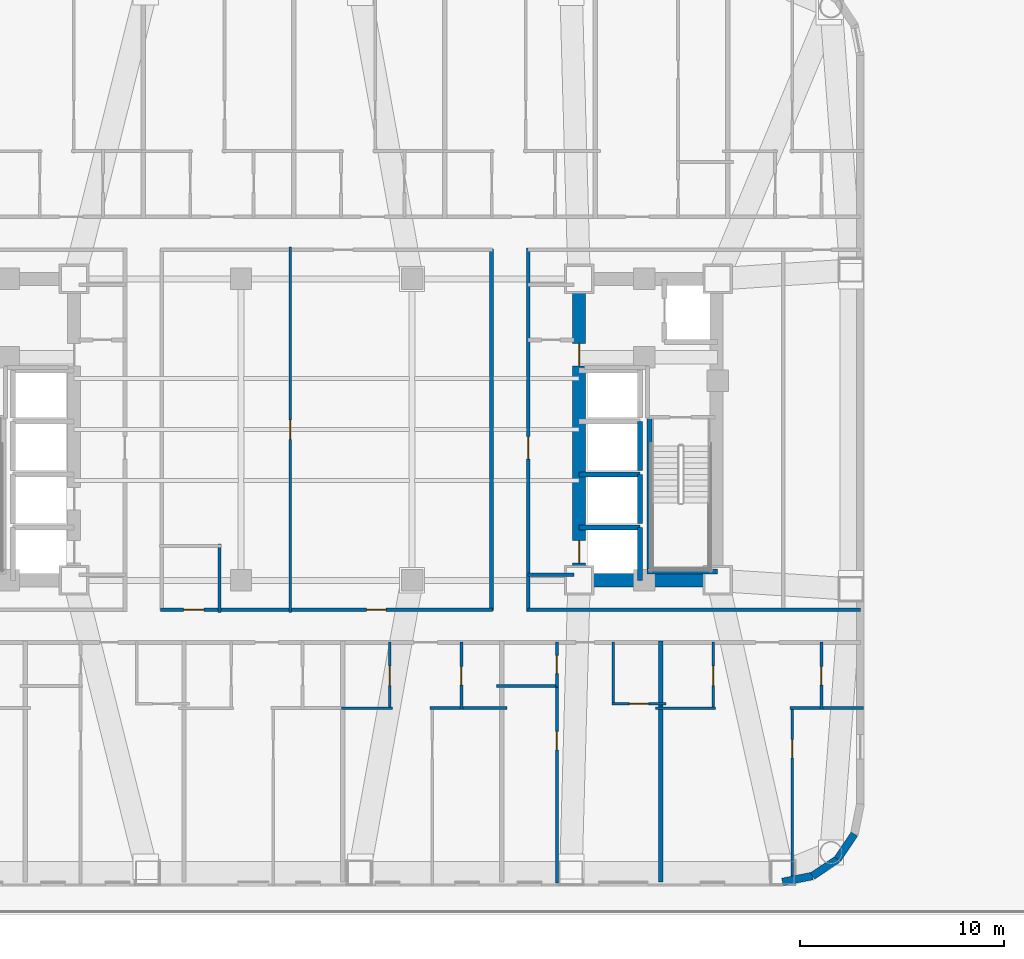
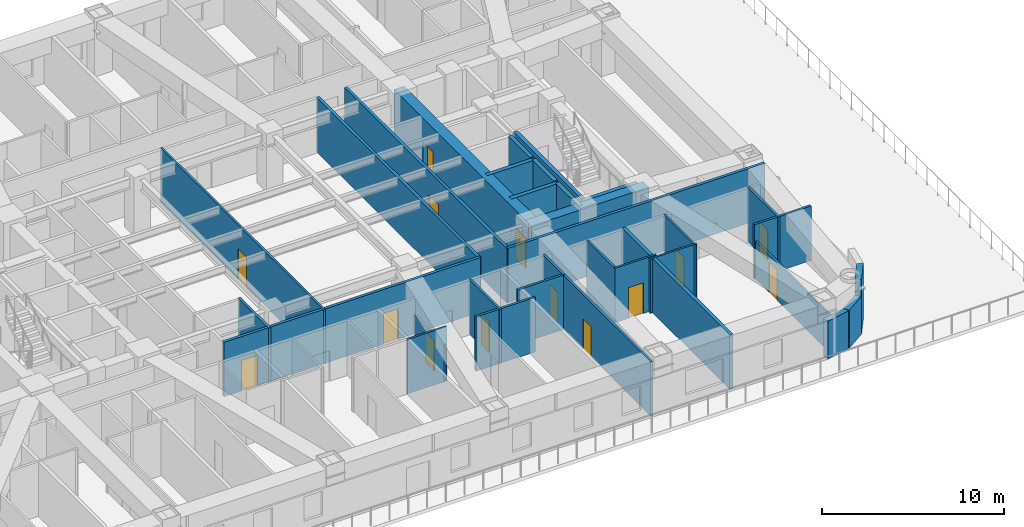
# One storey, part 6 of 15: 34 walls, 14 doors, 14 openings.
"""IFC4 building model written with IfcOpenShell, lengths in metres."""

from ifc_helpers import new_model, si_unit, direction, frame, frame_2d, origin, place, context, subcontext, project, spatial, rectangle, extrude, material, layer, layer_set, type_object, element, fill, save


model = new_model("IFC4")

# Units and contexts
model_context = context("Model", 3, precision=1e-05, world=origin(), true_north=direction((0.0, 1.0)))
body_context = subcontext(model_context, "Body", "Model", "MODEL_VIEW")
ifc_project = project(units=[si_unit("LENGTHUNIT", "METRE"), si_unit("AREAUNIT", "SQUARE_METRE"), si_unit("VOLUMEUNIT", "CUBIC_METRE"), si_unit("PLANEANGLEUNIT", "RADIAN"), si_unit("MASSUNIT", "GRAM", prefix="KILO")], contexts=[model_context])

# Site, building, storey
site_placement = place(None, origin())
site = spatial("IfcSite", under=ifc_project, at=site_placement, CompositionType="ELEMENT")
building_placement = place(site_placement, origin())
building = spatial("IfcBuilding", under=site, at=building_placement, Name="Voryun Gate Residences", CompositionType="ELEMENT")
storey_placement = place(building_placement, frame((0.0, 0.0, 26.0)))
storey = spatial("IfcBuildingStorey", under=building, at=storey_placement, Name="L05", CompositionType="ELEMENT", Elevation=26.0)

# Wall
ifc_material_1 = material(Name="Concrete C60/75", Category="concrete")
ifc_layer_1 = layer(ifc_material_1, 0.64990234375, Name="CW_CORE_650")
ifc_layer_set_1 = layer_set([ifc_layer_1], Name="Concrete C60/75")
wall_type_1 = type_object("IfcWallType", Name="CW_CORE_650", PredefinedType="SHEAR", material=ifc_layer_set_1)
wall_1_placement = place(storey_placement, frame((12.074951171875, -7.39990234375, 0.0), z_axis=(0.0, 0.0, 1.0), x_axis=(1.0, 0.0, 0.0)))
element("IfcWall", 1, at=wall_1_placement, inside=storey, type_object=wall_type_1, Name="L05 Core shear wall CW-L05-ES", PredefinedType="SHEAR", context=body_context, shape_type="SweptSolid", body=[
    extrude(rectangle(XDim=7.449951171875, YDim=0.64990234375, at=frame_2d((3.72509765625, 0.0))), origin(), (0.0, 0.0, 1.0), 3.64990234375),
])

# Wall, openings, doors
wall_2_placement = place(storey_placement, frame((12.39990234375, -7.39990234375, 0.0), z_axis=(0.0, 0.0, 1.0), x_axis=(0.0, 1.0, 0.0)))
wall_2 = element("IfcWall", 2, at=wall_2_placement, inside=storey, type_object=wall_type_1, Name="L05 Core shear wall CW-L05-EW", PredefinedType="SHEAR", context=body_context, shape_type="SweptSolid", body=[
    extrude(rectangle(XDim=14.7998046875, YDim=0.64990234375, at=frame_2d((7.39990234375, 0.0))), origin(), (0.0, 0.0, 1.0), 3.64990234375),
])
opening_1_placement = place(wall_2_placement, frame((0.85009765625, 0.0, 0.0)))
opening_1 = element("IfcOpeningElement", 3, at=opening_1_placement, cuts=wall_2, Name="Opening LD2", PredefinedType="OPENING", context=body_context, shape_type="SweptSolid", body=[
    extrude(rectangle(XDim=1.10009765625, YDim=2.050048828125, at=frame_2d((0.550048828125, 1.02490234375))), frame((0.0, 0.3349609375, 0.0), z_axis=(0.0, -1.0, 0.0), x_axis=(1.0, 0.0, 0.0)), (0.0, 0.0, 1.0), 0.669921875),
])
opening_2_placement = place(wall_2_placement, frame((10.530029296875, 0.0, 0.0)))
opening_2 = element("IfcOpeningElement", 4, at=opening_2_placement, cuts=wall_2, Name="Opening D-FD60-2", PredefinedType="OPENING", context=body_context, shape_type="SweptSolid", body=[
    extrude(rectangle(XDim=1.10009765625, YDim=2.050048828125, at=frame_2d((0.550048828125, 1.02490234375))), frame((0.0, 0.3349609375, 0.0), z_axis=(0.0, -1.0, 0.0), x_axis=(1.0, 0.0, 0.0)), (0.0, 0.0, 1.0), 0.669921875),
])
ifc_material_2 = material(Name="Painted steel fire door", Category="steel")
door_type_1 = type_object("IfcDoorType", Name="DR_FD60_FFLOB_1100", OperationType="NOTDEFINED", PredefinedType="DOOR", material=ifc_material_2)
door_1_placement = place(opening_2_placement, origin())
door_1 = element("IfcDoor", 5, at=door_1_placement, inside=storey, type_object=door_type_1, Name="Door DR-L05-CLOB-E", OperationType="SINGLE_SWING_RIGHT", OverallHeight=2.050048828125, OverallWidth=1.10009765625, PredefinedType="DOOR", context=body_context, shape_type="SweptSolid", body=[
    extrude(rectangle(XDim=1.10009765625, YDim=2.050048828125, at=frame_2d((0.550048828125, 1.02490234375))), frame((0.0, 0.02490234375, 0.0), z_axis=(0.0, -1.0, 0.0), x_axis=(1.0, 0.0, 0.0)), (0.0, 0.0, 1.0), 0.050048828125),
])
fill(opening_2, door_1)
ifc_material_3 = material(Name="Anodised aluminium", Category="aluminium")
door_type_2 = type_object("IfcDoorType", Name="DR_LD_PASS_1100", OperationType="NOTDEFINED", PredefinedType="DOOR", material=ifc_material_3)
door_2_placement = place(opening_1_placement, origin())
door_2 = element("IfcDoor", 6, at=door_2_placement, inside=storey, type_object=door_type_2, Name="Lift EL-P3 sliding landing door L05", OperationType="SLIDING_TO_LEFT", OverallHeight=2.050048828125, OverallWidth=1.10009765625, PredefinedType="DOOR", context=body_context, shape_type="SweptSolid", body=[
    extrude(rectangle(XDim=1.10009765625, YDim=2.050048828125, at=frame_2d((0.550048828125, 1.02490234375))), frame((0.0, 0.02490234375, 0.0), z_axis=(0.0, -1.0, 0.0), x_axis=(1.0, 0.0, 0.0)), (0.0, 0.0, 1.0), 0.050048828125),
])
fill(opening_1, door_2)

# Wall
ifc_material_4 = material(Name="Gypsum acoustic fireboard")
ifc_layer_2 = layer(ifc_material_4, 0.179931640625, Name="W_CORR_RATED_180")
ifc_layer_set_2 = layer_set([ifc_layer_2], Name="Gypsum acoustic fireboard")
wall_type_2 = type_object("IfcWallType", Name="W_CORR_RATED_180", PredefinedType="PARTITIONING", material=ifc_layer_set_2)
wall_3_placement = place(storey_placement, frame((9.8798828125, -7.1201171875, 0.0), z_axis=(0.0, 0.0, 1.0), x_axis=(1.0, 0.0, 0.0)))
element("IfcWall", 7, at=wall_3_placement, inside=storey, type_object=wall_type_2, Name="Partition wall WP-L05-PLBS-E", PredefinedType="PARTITIONING", context=body_context, shape_type="SweptSolid", body=[
    extrude(rectangle(XDim=2.27001953125, YDim=0.179931640625, at=frame_2d((1.135009765625, 0.0))), origin(), (0.0, 0.0, 1.0), 2.93994140625),
])

# Wall, opening, door
wall_4_placement = place(storey_placement, frame((9.89990234375, -8.929931640625, 0.0), z_axis=(0.0, 0.0, 1.0), x_axis=(0.0, 1.0, 0.0)))
wall_4 = element("IfcWall", 8, at=wall_4_placement, inside=storey, type_object=wall_type_2, Name="Partition wall WP-L05-PLBE-FULL", PredefinedType="PARTITIONING", context=body_context, shape_type="SweptSolid", body=[
    extrude(rectangle(XDim=17.85986328125, YDim=0.179931640625, at=frame_2d((8.929931640625, 0.0))), origin(), (0.0, 0.0, 1.0), 3.64990234375),
])
opening_3_placement = place(wall_4_placement, frame((7.487060546875, 0.0, 0.0)))
opening_3 = element("IfcOpeningElement", 9, at=opening_3_placement, cuts=wall_4, Name="Opening D-FD60-2", PredefinedType="OPENING", context=body_context, shape_type="SweptSolid", body=[
    extrude(rectangle(XDim=1.10009765625, YDim=2.050048828125, at=frame_2d((0.550048828125, 1.02490234375))), frame((0.0, 0.099853515625, 0.0), z_axis=(0.0, -1.0, 0.0), x_axis=(1.0, 0.0, 0.0)), (0.0, 0.0, 1.0), 0.199951171875),
])
door_3_placement = place(opening_3_placement, origin())
door_3 = element("IfcDoor", 10, at=door_3_placement, inside=storey, type_object=door_type_1, Name="Door DR-L05-PLBE-COR", OperationType="SINGLE_SWING_RIGHT", OverallHeight=2.050048828125, OverallWidth=1.10009765625, PredefinedType="DOOR", context=body_context, shape_type="SweptSolid", body=[
    extrude(rectangle(XDim=1.10009765625, YDim=2.050048828125, at=frame_2d((0.550048828125, 1.02490234375))), frame((0.0, 0.02490234375, 0.0), z_axis=(0.0, -1.0, 0.0), x_axis=(1.0, 0.0, 0.0)), (0.0, 0.0, 1.0), 0.050048828125),
])
fill(opening_3, door_3)

# Wall
wall_5_placement = place(storey_placement, frame((9.8798828125, -8.840087890625, 0.0), z_axis=(0.0, 0.0, 1.0), x_axis=(1.0, 0.0, 0.0)))
element("IfcWall", 11, at=wall_5_placement, inside=storey, type_object=wall_type_2, Name="Partition wall WP-L05-CWING-ES", PredefinedType="PARTITIONING", context=body_context, shape_type="SweptSolid", body=[
    extrude(rectangle(XDim=16.330078125, YDim=0.179931640625, at=frame_2d((8.1650390625, 0.0))), origin(), (0.0, 0.0, 1.0), 3.64990234375),
])

# Wall, openings, doors
wall_6_placement = place(storey_placement, frame((-8.14990234375, -8.840087890625, 0.0), z_axis=(0.0, 0.0, 1.0), x_axis=(1.0, 0.0, 0.0)))
wall_6 = element("IfcWall", 12, at=wall_6_placement, inside=storey, type_object=wall_type_2, Name="Partition wall WP-L05-Z1S", PredefinedType="PARTITIONING", context=body_context, shape_type="SweptSolid", body=[
    extrude(rectangle(XDim=16.2998046875, YDim=0.179931640625, at=frame_2d((8.14990234375, 0.0))), origin(), (0.0, 0.0, 1.0), 3.64990234375),
])
opening_4_placement = place(wall_6_placement, frame((1.1298828125, 0.0, 0.0)))
opening_4 = element("IfcOpeningElement", 13, at=opening_4_placement, cuts=wall_6, Name="Opening D-AWC-1", PredefinedType="OPENING", context=body_context, shape_type="SweptSolid", body=[
    extrude(rectangle(XDim=1.0, YDim=2.050048828125, at=frame_2d((0.5, 1.02490234375))), frame((0.0, 0.099853515625, 0.0), z_axis=(0.0, -1.0, 0.0), x_axis=(1.0, 0.0, 0.0)), (0.0, 0.0, 1.0), 0.199951171875),
])
opening_5_placement = place(wall_6_placement, frame((10.1201171875, 0.0, 0.0)))
opening_5 = element("IfcOpeningElement", 14, at=opening_5_placement, cuts=wall_6, Name="Opening D-INT-1", PredefinedType="OPENING", context=body_context, shape_type="SweptSolid", body=[
    extrude(rectangle(XDim=0.949951171875, YDim=2.050048828125, at=frame_2d((0.47509765625, 1.02490234375))), frame((0.0, 0.099853515625, 0.0), z_axis=(0.0, -1.0, 0.0), x_axis=(1.0, 0.0, 0.0)), (0.0, 0.0, 1.0), 0.199951171875),
])
ifc_material_5 = material(Name="Architectural oak veneer")
door_type_3 = type_object("IfcDoorType", Name="DR_ACC_WC_1000", OperationType="NOTDEFINED", PredefinedType="DOOR", material=ifc_material_5)
door_4_placement = place(opening_4_placement, origin())
door_4 = element("IfcDoor", 15, at=door_4_placement, inside=storey, type_object=door_type_3, Name="Door DR-L05-CMWC-D", OperationType="SINGLE_SWING_LEFT", OverallHeight=2.050048828125, OverallWidth=1.0, PredefinedType="DOOR", context=body_context, shape_type="SweptSolid", body=[
    extrude(rectangle(XDim=1.0, YDim=2.050048828125, at=frame_2d((0.5, 1.02490234375))), frame((0.0, 0.02490234375, 0.0), z_axis=(0.0, -1.0, 0.0), x_axis=(1.0, 0.0, 0.0)), (0.0, 0.0, 1.0), 0.050048828125),
])
fill(opening_4, door_4)
ifc_material_6 = material(Name="Architectural oak veneer")
door_type_4 = type_object("IfcDoorType", Name="DR_INT_ROOM_950", OperationType="NOTDEFINED", PredefinedType="DOOR", material=ifc_material_6)
door_5_placement = place(opening_5_placement, origin())
door_5 = element("IfcDoor", 16, at=door_5_placement, inside=storey, type_object=door_type_4, Name="Door DR-L05-CMIDZ1S", OperationType="SINGLE_SWING_RIGHT", OverallHeight=2.050048828125, OverallWidth=0.949951171875, PredefinedType="DOOR", context=body_context, shape_type="SweptSolid", body=[
    extrude(rectangle(XDim=0.949951171875, YDim=2.050048828125, at=frame_2d((0.47509765625, 1.02490234375))), frame((0.0, 0.02490234375, 0.0), z_axis=(0.0, -1.0, 0.0), x_axis=(1.0, 0.0, 0.0)), (0.0, 0.0, 1.0), 0.050048828125),
])
fill(opening_5, door_5)

# Walls
wall_7_placement = place(storey_placement, frame((8.10009765625, -8.8798828125, 0.0), z_axis=(0.0, 0.0, 1.0), x_axis=(0.0, 1.0, 0.0)))
element("IfcWall", 17, at=wall_7_placement, inside=storey, type_object=wall_type_2, Name="Partition wall WP-L05-Z1E", PredefinedType="PARTITIONING", context=body_context, shape_type="SweptSolid", body=[
    extrude(rectangle(XDim=17.759765625, YDim=0.179931640625, at=frame_2d((8.8798828125, 0.0))), origin(), (0.0, 0.0, 1.0), 3.64990234375),
])
ifc_material_7 = material(Name="Granite masonry", Category="masonry")
ifc_layer_3 = layer(ifc_material_7, 0.3798828125, Name="W_EXT_GRANITE_380")
ifc_layer_set_3 = layer_set([ifc_layer_3], Name="Granite masonry")
wall_type_3 = type_object("IfcWallType", Name="W_EXT_GRANITE_380", PredefinedType="ELEMENTEDWALL", material=ifc_layer_set_3)
wall_8_placement = place(storey_placement, frame((25.91650390625, -19.856689453125, 0.0), z_axis=(0.0, 0.0, 1.0), x_axis=(-0.555686231674, -0.831392092774, 0.0)))
element("IfcWall", 18, at=wall_8_placement, inside=storey, type_object=wall_type_3, Name="Exterior wall WEXT-L05-18", PredefinedType="ELEMENTEDWALL", context=body_context, shape_type="SweptSolid", body=[
    extrude(rectangle(XDim=1.485107421875, YDim=0.3798828125, at=frame_2d((0.74267578125, 0.0))), origin(), (0.0, 0.0, 1.0), 3.64990234375),
])
wall_9_placement = place(storey_placement, frame((25.09130859375, -21.09130859375, 0.0), z_axis=(0.0, 0.0, 1.0), x_axis=(-0.831392092774, -0.555686231674, 0.0)))
element("IfcWall", 19, at=wall_9_placement, inside=storey, type_object=wall_type_3, Name="Exterior wall WEXT-L05-19", PredefinedType="ELEMENTEDWALL", context=body_context, shape_type="SweptSolid", body=[
    extrude(rectangle(XDim=1.485107421875, YDim=0.3798828125, at=frame_2d((0.74267578125, 0.0))), origin(), (0.0, 0.0, 1.0), 2.5400390625),
])
wall_10_placement = place(storey_placement, frame((23.856689453125, -21.91650390625, 0.0), z_axis=(0.0, 0.0, 1.0), x_axis=(-0.980786132421, -0.195086038585, 0.0)))
element("IfcWall", 20, at=wall_10_placement, inside=storey, type_object=wall_type_3, Name="Exterior wall WEXT-L05-20", PredefinedType="ELEMENTEDWALL", context=body_context, shape_type="SweptSolid", body=[
    extrude(rectangle(XDim=1.504150390625, YDim=0.3798828125, at=frame_2d((0.751953125, 0.0))), origin(), (0.0, 0.0, 1.0), 2.5400390625),
])
ifc_material_8 = material(Name="Concrete C40/50", Category="concrete")
ifc_layer_4 = layer(ifc_material_8, 0.219970703125, Name="W_PARTY_ACOUSTIC_220")
ifc_layer_set_4 = layer_set([ifc_layer_4], Name="Concrete C40/50")
wall_type_4 = type_object("IfcWallType", Name="W_PARTY_ACOUSTIC_220", PredefinedType="PARTITIONING", material=ifc_layer_set_4)
wall_11_placement = place(storey_placement, frame((16.39990234375, -22.2099609375, 0.0), z_axis=(0.0, 0.0, 1.0), x_axis=(0.0, 1.0, 0.0)))
element("IfcWall", 21, at=wall_11_placement, inside=storey, type_object=wall_type_4, Name="Partition wall WP-L05-SPTY-6", PredefinedType="PARTITIONING", context=body_context, shape_type="SweptSolid", body=[
    extrude(rectangle(XDim=11.83984375, YDim=0.219970703125, at=frame_2d((5.919921875, 0.0))), origin(), (0.0, 0.0, 1.0), 3.64990234375),
])
ifc_material_9 = material(Name="Concrete C50/60", Category="concrete")
ifc_layer_5 = layer(ifc_material_9, 0.25, Name="W_SHAFT_RC250")
ifc_layer_set_5 = layer_set([ifc_layer_5], Name="Concrete C50/60")
wall_type_5 = type_object("IfcWallType", Name="W_SHAFT_RC250", PredefinedType="SOLIDWALL", material=ifc_layer_set_5)
wall_12_placement = place(storey_placement, frame((15.860107421875, -7.0849609375, 0.0), z_axis=(0.0, 0.0, 1.0), x_axis=(0.0, 1.0, 0.0)))
element("IfcWall", 22, at=wall_12_placement, inside=storey, type_object=wall_type_5, Name="L05 Stair shaft structural wall E-STL", PredefinedType="SOLIDWALL", context=body_context, shape_type="SweptSolid", body=[
    extrude(rectangle(XDim=7.68505859375, YDim=0.25, at=frame_2d((3.842529296875, 0.0))), origin(), (0.0, 0.0, 1.0), 3.64990234375),
])
wall_13_placement = place(storey_placement, frame((15.739990234375, -6.965087890625, 0.0), z_axis=(0.0, 0.0, 1.0), x_axis=(1.0, 0.0, 0.0)))
element("IfcWall", 23, at=wall_13_placement, inside=storey, type_object=wall_type_5, Name="L05 Stair shaft structural wall E-STS", PredefinedType="SOLIDWALL", context=body_context, shape_type="SweptSolid", body=[
    extrude(rectangle(XDim=3.4599609375, YDim=0.25, at=frame_2d((1.72998046875, 0.0))), origin(), (0.0, 0.0, 1.0), 3.64990234375),
])
wall_14_placement = place(storey_placement, frame((15.39990234375, -7.39990234375, 0.0), z_axis=(0.0, 0.0, 1.0), x_axis=(0.0, 1.0, 0.0)))
element("IfcWall", 24, at=wall_14_placement, inside=storey, type_object=wall_type_5, Name="Lift shaft wall WSH-L05-EL-P3-E", PredefinedType="SOLIDWALL", context=body_context, shape_type="SweptSolid", body=[
    extrude(rectangle(XDim=2.599853515625, YDim=0.25, at=frame_2d((1.2998046875, 0.0))), origin(), (0.0, 0.0, 1.0), 3.64990234375),
])
wall_15_placement = place(storey_placement, frame((15.39990234375, -4.800048828125, 0.0), z_axis=(0.0, 0.0, 1.0), x_axis=(-1.0, 0.0, 0.0)))
element("IfcWall", 25, at=wall_15_placement, inside=storey, type_object=wall_type_5, Name="Lift shaft wall WSH-L05-EL-P3-N", PredefinedType="SOLIDWALL", context=body_context, shape_type="SweptSolid", body=[
    extrude(rectangle(XDim=3.0, YDim=0.25, at=frame_2d((1.5, 0.0))), origin(), (0.0, 0.0, 1.0), 3.64990234375),
])
wall_16_placement = place(storey_placement, frame((15.39990234375, -4.60009765625, 0.0), z_axis=(0.0, 0.0, 1.0), x_axis=(0.0, 1.0, 0.0)))
element("IfcWall", 26, at=wall_16_placement, inside=storey, type_object=wall_type_5, Name="Lift shaft wall WSH-L05-EL-P5-E", PredefinedType="SOLIDWALL", context=body_context, shape_type="SweptSolid", body=[
    extrude(rectangle(XDim=2.400146484375, YDim=0.25, at=frame_2d((1.2001953125, 0.0))), origin(), (0.0, 0.0, 1.0), 3.64990234375),
])
wall_17_placement = place(storey_placement, frame((15.39990234375, -2.199951171875, 0.0), z_axis=(0.0, 0.0, 1.0), x_axis=(-1.0, 0.0, 0.0)))
element("IfcWall", 27, at=wall_17_placement, inside=storey, type_object=wall_type_5, Name="Lift shaft wall WSH-L05-EL-P5-N", PredefinedType="SOLIDWALL", context=body_context, shape_type="SweptSolid", body=[
    extrude(rectangle(XDim=3.0, YDim=0.25, at=frame_2d((1.5, 0.0))), origin(), (0.0, 0.0, 1.0), 3.64990234375),
])
wall_18_placement = place(storey_placement, frame((15.39990234375, -2.0, 0.0), z_axis=(0.0, 0.0, 1.0), x_axis=(0.0, 1.0, 0.0)))
element("IfcWall", 28, at=wall_18_placement, inside=storey, type_object=wall_type_5, Name="Lift shaft wall WSH-L05-EL-P6-E", PredefinedType="SOLIDWALL", context=body_context, shape_type="SweptSolid", body=[
    extrude(rectangle(XDim=2.39990234375, YDim=0.25, at=frame_2d((1.199951171875, 0.0))), origin(), (0.0, 0.0, 1.0), 3.64990234375),
])

# Wall, opening, door
ifc_material_10 = material(Name="Gypsum acoustic partition")
ifc_layer_6 = layer(ifc_material_10, 0.125, Name="W_UNIT_PART_125")
ifc_layer_set_6 = layer_set([ifc_layer_6], Name="Gypsum acoustic partition")
wall_type_6 = type_object("IfcWallType", Name="W_UNIT_PART_125", PredefinedType="PARTITIONING", material=ifc_layer_set_6)
wall_19_placement = place(storey_placement, frame((-1.77294921875, -8.969970703125, 0.0), z_axis=(0.0, 0.0, 1.0), x_axis=(0.0, 1.0, 0.0)))
wall_19 = element("IfcWall", 29, at=wall_19_placement, inside=storey, type_object=wall_type_6, Name="Partition wall WP-L05-MIDX-0", PredefinedType="PARTITIONING", context=body_context, shape_type="SweptSolid", body=[
    extrude(rectangle(XDim=17.93994140625, YDim=0.125, at=frame_2d((8.969970703125, 0.0))), origin(), (0.0, 0.0, 1.0), 3.64990234375),
])
opening_6_placement = place(wall_19_placement, frame((8.4951171875, 0.0, 0.0)))
opening_6 = element("IfcOpeningElement", 30, at=opening_6_placement, cuts=wall_19, Name="Opening D-INT-1", PredefinedType="OPENING", context=body_context, shape_type="SweptSolid", body=[
    extrude(rectangle(XDim=0.949951171875, YDim=2.050048828125, at=frame_2d((0.47509765625, 1.02490234375))), frame((0.0, 0.072509765625, 0.0), z_axis=(0.0, -1.0, 0.0), x_axis=(1.0, 0.0, 0.0)), (0.0, 0.0, 1.0), 0.14501953125),
])
door_6_placement = place(opening_6_placement, origin())
door_6 = element("IfcDoor", 31, at=door_6_placement, inside=storey, type_object=door_type_4, Name="Door DR-L05-MIDX-0", OperationType="SINGLE_SWING_LEFT", OverallHeight=2.050048828125, OverallWidth=0.949951171875, PredefinedType="DOOR", context=body_context, shape_type="SweptSolid", body=[
    extrude(rectangle(XDim=0.949951171875, YDim=2.050048828125, at=frame_2d((0.47509765625, 1.02490234375))), frame((0.0, 0.02490234375, 0.0), z_axis=(0.0, -1.0, 0.0), x_axis=(1.0, 0.0, 0.0)), (0.0, 0.0, 1.0), 0.050048828125),
])
fill(opening_6, door_6)

wall_20_placement = place(storey_placement, frame((3.110107421875, -13.75, 0.0), z_axis=(0.0, 0.0, 1.0), x_axis=(0.0, 1.0, 0.0)))
wall_20 = element("IfcWall", 32, at=wall_20_placement, inside=storey, type_object=wall_type_6, Name="Partition wall WP-L05-S5-IVK", PredefinedType="PARTITIONING", context=body_context, shape_type="SweptSolid", body=[
    extrude(rectangle(XDim=3.320068359375, YDim=0.125, at=frame_2d((1.66015625, 0.0))), origin(), (0.0, 0.0, 1.0), 2.5400390625),
])
opening_7_placement = place(wall_20_placement, frame((1.18505859375, 0.0, 0.0)))
opening_7 = element("IfcOpeningElement", 33, at=opening_7_placement, cuts=wall_20, Name="Opening D-INT-1", PredefinedType="OPENING", context=body_context, shape_type="SweptSolid", body=[
    extrude(rectangle(XDim=0.949951171875, YDim=2.050048828125, at=frame_2d((0.47509765625, 1.02490234375))), frame((0.0, 0.072509765625, 0.0), z_axis=(0.0, -1.0, 0.0), x_axis=(1.0, 0.0, 0.0)), (0.0, 0.0, 1.0), 0.14501953125),
])
door_7_placement = place(opening_7_placement, origin())
door_7 = element("IfcDoor", 34, at=door_7_placement, inside=storey, type_object=door_type_4, Name="Door DR-L05-S5-DK", OperationType="SINGLE_SWING_LEFT", OverallHeight=2.050048828125, OverallWidth=0.949951171875, PredefinedType="DOOR", context=body_context, shape_type="SweptSolid", body=[
    extrude(rectangle(XDim=0.949951171875, YDim=2.050048828125, at=frame_2d((0.47509765625, 1.02490234375))), frame((0.0, 0.02490234375, 0.0), z_axis=(0.0, -1.0, 0.0), x_axis=(1.0, 0.0, 0.0)), (0.0, 0.0, 1.0), 0.050048828125),
])
fill(opening_7, door_7)

# Wall
wall_21_placement = place(storey_placement, frame((0.72509765625, -13.669921875, 0.0), z_axis=(0.0, 0.0, 1.0), x_axis=(1.0, 0.0, 0.0)))
element("IfcWall", 35, at=wall_21_placement, inside=storey, type_object=wall_type_6, Name="Partition wall WP-L05-S5-HZK", PredefinedType="PARTITIONING", context=body_context, shape_type="SweptSolid", body=[
    extrude(rectangle(XDim=2.5048828125, YDim=0.125, at=frame_2d((1.25244140625, 0.0))), origin(), (0.0, 0.0, 1.0), 3.64990234375),
])

# Wall, opening, door
wall_22_placement = place(storey_placement, frame((14.01611328125, -13.469970703125, 0.0), z_axis=(0.0, 0.0, 1.0), x_axis=(1.0, 0.0, 0.0)))
wall_22 = element("IfcWall", 36, at=wall_22_placement, inside=storey, type_object=wall_type_6, Name="Partition wall WP-L05-S6-KHY", PredefinedType="PARTITIONING", context=body_context, shape_type="SweptSolid", body=[
    extrude(rectangle(XDim=2.643798828125, YDim=0.125, at=frame_2d((1.32177734375, 0.0))), origin(), (0.0, 0.0, 1.0), 3.64990234375),
])
opening_8_placement = place(wall_22_placement, frame((0.846923828125, 0.0, 0.0)))
opening_8 = element("IfcOpeningElement", 37, at=opening_8_placement, cuts=wall_22, Name="Opening D-INT-1", PredefinedType="OPENING", context=body_context, shape_type="SweptSolid", body=[
    extrude(rectangle(XDim=0.949951171875, YDim=2.050048828125, at=frame_2d((0.47509765625, 1.02490234375))), frame((0.0, 0.072509765625, 0.0), z_axis=(0.0, -1.0, 0.0), x_axis=(1.0, 0.0, 0.0)), (0.0, 0.0, 1.0), 0.14501953125),
])
door_8_placement = place(opening_8_placement, origin())
door_8 = element("IfcDoor", 38, at=door_8_placement, inside=storey, type_object=door_type_4, Name="Door DR-L05-S6-DK", OperationType="SINGLE_SWING_LEFT", OverallHeight=2.050048828125, OverallWidth=0.949951171875, PredefinedType="DOOR", context=body_context, shape_type="SweptSolid", body=[
    extrude(rectangle(XDim=0.949951171875, YDim=2.050048828125, at=frame_2d((0.47509765625, 1.02490234375))), frame((0.0, 0.02490234375, 0.0), z_axis=(0.0, -1.0, 0.0), x_axis=(1.0, 0.0, 0.0)), (0.0, 0.0, 1.0), 0.050048828125),
])
fill(opening_8, door_8)

# Wall
wall_23_placement = place(storey_placement, frame((14.075927734375, -13.530029296875, 0.0), z_axis=(0.0, 0.0, 1.0), x_axis=(0.0, 1.0, 0.0)))
element("IfcWall", 39, at=wall_23_placement, inside=storey, type_object=wall_type_6, Name="Partition wall WP-L05-S6-KVX", PredefinedType="PARTITIONING", context=body_context, shape_type="SweptSolid", body=[
    extrude(rectangle(XDim=3.10009765625, YDim=0.125, at=frame_2d((1.550048828125, 0.0))), origin(), (0.0, 0.0, 1.0), 3.64990234375),
])

# Wall, opening, door
wall_24_placement = place(storey_placement, frame((22.867919921875, -22.26611328125, 0.0), z_axis=(0.0, 0.0, 1.0), x_axis=(0.0, 1.0, 0.0)))
wall_24 = element("IfcWall", 40, at=wall_24_placement, inside=storey, type_object=wall_type_6, Name="Partition wall WP-L05-S7-OVR", PredefinedType="PARTITIONING", context=body_context, shape_type="SweptSolid", body=[
    extrude(rectangle(XDim=8.676025390625, YDim=0.125, at=frame_2d((4.337890625, 0.0))), origin(), (0.0, 0.0, 1.0), 2.5400390625),
])
opening_9_placement = place(wall_24_placement, frame((6.143798828125, 0.0, 0.0)))
opening_9 = element("IfcOpeningElement", 41, at=opening_9_placement, cuts=wall_24, Name="Opening D-INT-2", PredefinedType="OPENING", context=body_context, shape_type="SweptSolid", body=[
    extrude(rectangle(XDim=0.89990234375, YDim=2.050048828125, at=frame_2d((0.449951171875, 1.02490234375))), frame((0.0, 0.072509765625, 0.0), z_axis=(0.0, -1.0, 0.0), x_axis=(1.0, 0.0, 0.0)), (0.0, 0.0, 1.0), 0.14501953125),
])
ifc_material_11 = material(Name="Architectural oak veneer")
door_type_5 = type_object("IfcDoorType", Name="DR_INT_BATH_900", OperationType="NOTDEFINED", PredefinedType="DOOR", material=ifc_material_11)
door_9_placement = place(opening_9_placement, origin())
door_9 = element("IfcDoor", 42, at=door_9_placement, inside=storey, type_object=door_type_5, Name="Door DR-L05-S7-DMB", OperationType="SINGLE_SWING_RIGHT", OverallHeight=2.050048828125, OverallWidth=0.89990234375, PredefinedType="DOOR", context=body_context, shape_type="SweptSolid", body=[
    extrude(rectangle(XDim=0.89990234375, YDim=2.050048828125, at=frame_2d((0.449951171875, 1.02490234375))), frame((0.0, 0.02490234375, 0.0), z_axis=(0.0, -1.0, 0.0), x_axis=(1.0, 0.0, 0.0)), (0.0, 0.0, 1.0), 0.050048828125),
])
fill(opening_9, door_9)

wall_25_placement = place(storey_placement, frame((18.97705078125, -13.75, 0.0), z_axis=(0.0, 0.0, 1.0), x_axis=(0.0, 1.0, 0.0)))
wall_25 = element("IfcWall", 43, at=wall_25_placement, inside=storey, type_object=wall_type_6, Name="Partition wall WP-L05-S7-IVK", PredefinedType="PARTITIONING", context=body_context, shape_type="SweptSolid", body=[
    extrude(rectangle(XDim=3.320068359375, YDim=0.125, at=frame_2d((1.66015625, 0.0))), origin(), (0.0, 0.0, 1.0), 3.64990234375),
])
opening_10_placement = place(wall_25_placement, frame((1.18505859375, 0.0, 0.0)))
opening_10 = element("IfcOpeningElement", 44, at=opening_10_placement, cuts=wall_25, Name="Opening D-INT-1", PredefinedType="OPENING", context=body_context, shape_type="SweptSolid", body=[
    extrude(rectangle(XDim=0.949951171875, YDim=2.050048828125, at=frame_2d((0.47509765625, 1.02490234375))), frame((0.0, 0.072509765625, 0.0), z_axis=(0.0, -1.0, 0.0), x_axis=(1.0, 0.0, 0.0)), (0.0, 0.0, 1.0), 0.14501953125),
])
door_10_placement = place(opening_10_placement, origin())
door_10 = element("IfcDoor", 45, at=door_10_placement, inside=storey, type_object=door_type_4, Name="Door DR-L05-S7-DK", OperationType="SINGLE_SWING_LEFT", OverallHeight=2.050048828125, OverallWidth=0.949951171875, PredefinedType="DOOR", context=body_context, shape_type="SweptSolid", body=[
    extrude(rectangle(XDim=0.949951171875, YDim=2.050048828125, at=frame_2d((0.47509765625, 1.02490234375))), frame((0.0, 0.02490234375, 0.0), z_axis=(0.0, -1.0, 0.0), x_axis=(1.0, 0.0, 0.0)), (0.0, 0.0, 1.0), 0.050048828125),
])
fill(opening_10, door_10)

# Walls
wall_26_placement = place(storey_placement, frame((16.139892578125, -13.669921875, 0.0), z_axis=(0.0, 0.0, 1.0), x_axis=(1.0, 0.0, 0.0)))
element("IfcWall", 46, at=wall_26_placement, inside=storey, type_object=wall_type_6, Name="Partition wall WP-L05-S7-HZK", PredefinedType="PARTITIONING", context=body_context, shape_type="SweptSolid", body=[
    extrude(rectangle(XDim=2.95703125, YDim=0.125, at=frame_2d((1.478515625, 0.0))), origin(), (0.0, 0.0, 1.0), 3.64990234375),
])
ifc_material_12 = material(Name="Gypsum moisture-resistant partition")
ifc_layer_7 = layer(ifc_material_12, 0.14990234375, Name="W_WET_PLUMB_150")
ifc_layer_set_7 = layer_set([ifc_layer_7], Name="Gypsum moisture-resistant partition")
wall_type_7 = type_object("IfcWallType", Name="W_WET_PLUMB_150", PredefinedType="PLUMBINGWALL", material=ifc_layer_set_7)
wall_27_placement = place(storey_placement, frame((-5.260009765625, -8.969970703125, 0.0), z_axis=(0.0, 0.0, 1.0), x_axis=(0.0, 1.0, 0.0)))
element("IfcWall", 47, at=wall_27_placement, inside=storey, type_object=wall_type_7, Name="Partition wall WP-L05-CMWCX", PredefinedType="PLUMBINGWALL", context=body_context, shape_type="SweptSolid", body=[
    extrude(rectangle(XDim=3.349853515625, YDim=0.14990234375, at=frame_2d((1.6748046875, 0.0))), origin(), (0.0, 0.0, 1.0), 3.64990234375),
])
wall_28_placement = place(storey_placement, frame((5.070068359375, -13.669921875, 0.0), z_axis=(0.0, 0.0, 1.0), x_axis=(1.0, 0.0, 0.0)))
element("IfcWall", 48, at=wall_28_placement, inside=storey, type_object=wall_type_7, Name="Partition wall WP-L05-S5-HZB", PredefinedType="PLUMBINGWALL", context=body_context, shape_type="SweptSolid", body=[
    extrude(rectangle(XDim=3.7900390625, YDim=0.14990234375, at=frame_2d((1.89501953125, 0.0))), origin(), (0.0, 0.0, 1.0), 3.64990234375),
])

# Wall, opening, door
wall_29_placement = place(storey_placement, frame((6.6201171875, -13.75, 0.0), z_axis=(0.0, 0.0, 1.0), x_axis=(0.0, 1.0, 0.0)))
wall_29 = element("IfcWall", 49, at=wall_29_placement, inside=storey, type_object=wall_type_7, Name="Partition wall WP-L05-S5-IVB", PredefinedType="PLUMBINGWALL", context=body_context, shape_type="SweptSolid", body=[
    extrude(rectangle(XDim=3.320068359375, YDim=0.14990234375, at=frame_2d((1.66015625, 0.0))), origin(), (0.0, 0.0, 1.0), 3.64990234375),
])
opening_11_placement = place(wall_29_placement, frame((1.2099609375, 0.0, 0.0)))
opening_11 = element("IfcOpeningElement", 50, at=opening_11_placement, cuts=wall_29, Name="Opening D-INT-2", PredefinedType="OPENING", context=body_context, shape_type="SweptSolid", body=[
    extrude(rectangle(XDim=0.89990234375, YDim=2.050048828125, at=frame_2d((0.449951171875, 1.02490234375))), frame((0.0, 0.0849609375, 0.0), z_axis=(0.0, -1.0, 0.0), x_axis=(1.0, 0.0, 0.0)), (0.0, 0.0, 1.0), 0.169921875),
])
door_11_placement = place(opening_11_placement, origin())
door_11 = element("IfcDoor", 51, at=door_11_placement, inside=storey, type_object=door_type_5, Name="Door DR-L05-S5-DB", OperationType="SINGLE_SWING_RIGHT", OverallHeight=2.050048828125, OverallWidth=0.89990234375, PredefinedType="DOOR", context=body_context, shape_type="SweptSolid", body=[
    extrude(rectangle(XDim=0.89990234375, YDim=2.050048828125, at=frame_2d((0.449951171875, 1.02490234375))), frame((0.0, 0.02490234375, 0.0), z_axis=(0.0, -1.0, 0.0), x_axis=(1.0, 0.0, 0.0)), (0.0, 0.0, 1.0), 0.050048828125),
])
fill(opening_11, door_11)

# Wall
wall_30_placement = place(storey_placement, frame((8.340087890625, -12.590087890625, 0.0), z_axis=(0.0, 0.0, 1.0), x_axis=(1.0, 0.0, 0.0)))
element("IfcWall", 52, at=wall_30_placement, inside=storey, type_object=wall_type_7, Name="Partition wall WP-L05-S6-LHY", PredefinedType="PLUMBINGWALL", context=body_context, shape_type="SweptSolid", body=[
    extrude(rectangle(XDim=3.0498046875, YDim=0.14990234375, at=frame_2d((1.52490234375, 0.0))), origin(), (0.0, 0.0, 1.0), 3.64990234375),
])

# Wall, opening, door
wall_31_placement = place(storey_placement, frame((11.31005859375, -22.257568359375, 0.0), z_axis=(0.0, 0.0, 1.0), x_axis=(0.0, 1.0, 0.0)))
wall_31 = element("IfcWall", 53, at=wall_31_placement, inside=storey, type_object=wall_type_7, Name="Partition wall WP-L05-S6-LVX1", PredefinedType="PLUMBINGWALL", context=body_context, shape_type="SweptSolid", body=[
    extrude(rectangle(XDim=9.70751953125, YDim=0.14990234375, at=frame_2d((4.853759765625, 0.0))), origin(), (0.0, 0.0, 1.0), 3.64990234375),
])
opening_12_placement = place(wall_31_placement, frame((6.53955078125, 0.0, 0.0)))
opening_12 = element("IfcOpeningElement", 54, at=opening_12_placement, cuts=wall_31, Name="Opening D-INT-2", PredefinedType="OPENING", context=body_context, shape_type="SweptSolid", body=[
    extrude(rectangle(XDim=0.89990234375, YDim=2.050048828125, at=frame_2d((0.449951171875, 1.02490234375))), frame((0.0, 0.0849609375, 0.0), z_axis=(0.0, -1.0, 0.0), x_axis=(1.0, 0.0, 0.0)), (0.0, 0.0, 1.0), 0.169921875),
])
door_12_placement = place(opening_12_placement, origin())
door_12 = element("IfcDoor", 55, at=door_12_placement, inside=storey, type_object=door_type_5, Name="Door DR-L05-S6-DMB", OperationType="SINGLE_SWING_LEFT", OverallHeight=2.050048828125, OverallWidth=0.89990234375, PredefinedType="DOOR", context=body_context, shape_type="SweptSolid", body=[
    extrude(rectangle(XDim=0.89990234375, YDim=2.050048828125, at=frame_2d((0.449951171875, 1.02490234375))), frame((0.0, 0.02490234375, 0.0), z_axis=(0.0, -1.0, 0.0), x_axis=(1.0, 0.0, 0.0)), (0.0, 0.0, 1.0), 0.050048828125),
])
fill(opening_12, door_12)

wall_32_placement = place(storey_placement, frame((11.31005859375, -12.6298828125, 0.0), z_axis=(0.0, 0.0, 1.0), x_axis=(0.0, 1.0, 0.0)))
wall_32 = element("IfcWall", 56, at=wall_32_placement, inside=storey, type_object=wall_type_7, Name="Partition wall WP-L05-S6-LVX2", PredefinedType="PLUMBINGWALL", context=body_context, shape_type="SweptSolid", body=[
    extrude(rectangle(XDim=2.199951171875, YDim=0.14990234375, at=frame_2d((1.10009765625, 0.0))), origin(), (0.0, 0.0, 1.0), 3.64990234375),
])
opening_13_placement = place(wall_32_placement, frame((0.64990234375, 0.0, 0.0)))
opening_13 = element("IfcOpeningElement", 57, at=opening_13_placement, cuts=wall_32, Name="Opening D-INT-2", PredefinedType="OPENING", context=body_context, shape_type="SweptSolid", body=[
    extrude(rectangle(XDim=0.89990234375, YDim=2.050048828125, at=frame_2d((0.449951171875, 1.02490234375))), frame((0.0, 0.0849609375, 0.0), z_axis=(0.0, -1.0, 0.0), x_axis=(1.0, 0.0, 0.0)), (0.0, 0.0, 1.0), 0.169921875),
])
door_13_placement = place(opening_13_placement, origin())
door_13 = element("IfcDoor", 58, at=door_13_placement, inside=storey, type_object=door_type_5, Name="Door DR-L05-S6-DB", OperationType="SINGLE_SWING_RIGHT", OverallHeight=2.050048828125, OverallWidth=0.89990234375, PredefinedType="DOOR", context=body_context, shape_type="SweptSolid", body=[
    extrude(rectangle(XDim=0.89990234375, YDim=2.050048828125, at=frame_2d((0.449951171875, 1.02490234375))), frame((0.0, 0.02490234375, 0.0), z_axis=(0.0, -1.0, 0.0), x_axis=(1.0, 0.0, 0.0)), (0.0, 0.0, 1.0), 0.050048828125),
])
fill(opening_13, door_13)

# Wall
wall_33_placement = place(storey_placement, frame((22.748046875, -13.669921875, 0.0), z_axis=(0.0, 0.0, 1.0), x_axis=(1.0, 0.0, 0.0)))
element("IfcWall", 59, at=wall_33_placement, inside=storey, type_object=wall_type_7, Name="Partition wall WP-L05-S7-HZB", PredefinedType="PLUMBINGWALL", context=body_context, shape_type="SweptSolid", body=[
    extrude(rectangle(XDim=3.612060546875, YDim=0.14990234375, at=frame_2d((1.80615234375, 0.0))), origin(), (0.0, 0.0, 1.0), 3.64990234375),
])

# Wall, opening, door
wall_34_placement = place(storey_placement, frame((24.298095703125, -13.75, 0.0), z_axis=(0.0, 0.0, 1.0), x_axis=(0.0, 1.0, 0.0)))
wall_34 = element("IfcWall", 60, at=wall_34_placement, inside=storey, type_object=wall_type_7, Name="Partition wall WP-L05-S7-IVB", PredefinedType="PLUMBINGWALL", context=body_context, shape_type="SweptSolid", body=[
    extrude(rectangle(XDim=3.320068359375, YDim=0.14990234375, at=frame_2d((1.66015625, 0.0))), origin(), (0.0, 0.0, 1.0), 3.64990234375),
])
opening_14_placement = place(wall_34_placement, frame((1.2099609375, 0.0, 0.0)))
opening_14 = element("IfcOpeningElement", 61, at=opening_14_placement, cuts=wall_34, Name="Opening D-INT-2", PredefinedType="OPENING", context=body_context, shape_type="SweptSolid", body=[
    extrude(rectangle(XDim=0.89990234375, YDim=2.050048828125, at=frame_2d((0.449951171875, 1.02490234375))), frame((0.0, 0.0849609375, 0.0), z_axis=(0.0, -1.0, 0.0), x_axis=(1.0, 0.0, 0.0)), (0.0, 0.0, 1.0), 0.169921875),
])
door_14_placement = place(opening_14_placement, origin())
door_14 = element("IfcDoor", 62, at=door_14_placement, inside=storey, type_object=door_type_5, Name="Door DR-L05-S7-DB", OperationType="SINGLE_SWING_RIGHT", OverallHeight=2.050048828125, OverallWidth=0.89990234375, PredefinedType="DOOR", context=body_context, shape_type="SweptSolid", body=[
    extrude(rectangle(XDim=0.89990234375, YDim=2.050048828125, at=frame_2d((0.449951171875, 1.02490234375))), frame((0.0, 0.02490234375, 0.0), z_axis=(0.0, -1.0, 0.0), x_axis=(1.0, 0.0, 0.0)), (0.0, 0.0, 1.0), 0.050048828125),
])
fill(opening_14, door_14)

save(model, "model.ifc")
